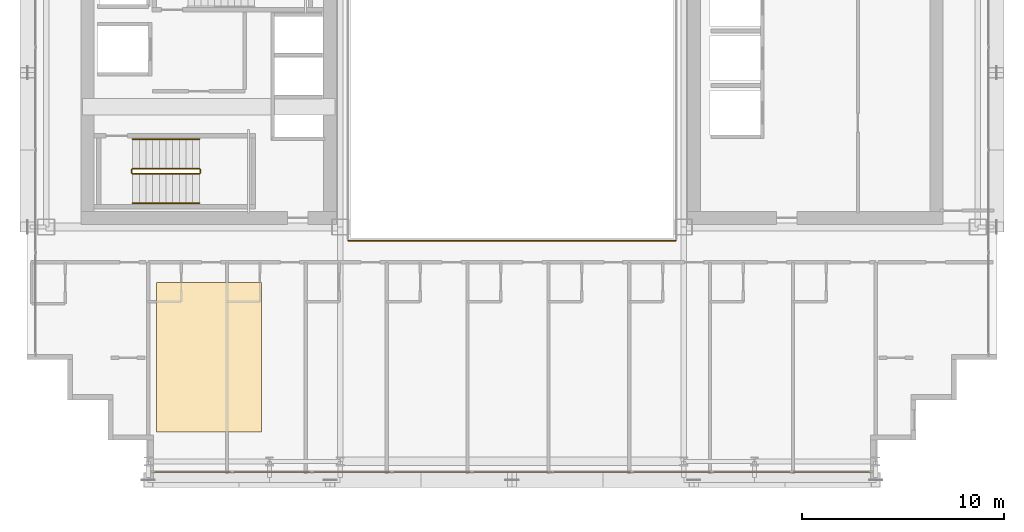
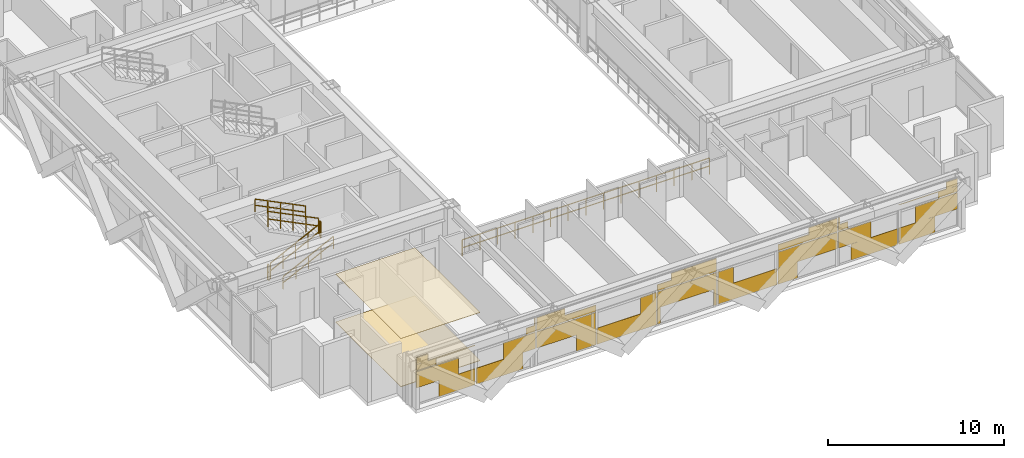
# One storey, part 33 of 36: 7 railings, 3 coverings.
"""IFC4 building model written with IfcOpenShell, lengths in metres."""

from ifc_helpers import new_model, si_unit, direction, frame, origin, origin_2d, place, context, subcontext, project, spatial, polyline, rectangle, outline, extrude, material, layer, layer_set, type_object, element, save


model = new_model("IFC4")

# Units and contexts
model_context = context("Model", 3, precision=1e-05, world=origin(), true_north=direction((0.0, 1.0)))
body_context = subcontext(model_context, "Body", "Model", "MODEL_VIEW")
ifc_project = project(units=[si_unit("LENGTHUNIT", "METRE"), si_unit("AREAUNIT", "SQUARE_METRE"), si_unit("VOLUMEUNIT", "CUBIC_METRE"), si_unit("PLANEANGLEUNIT", "RADIAN"), si_unit("MASSUNIT", "GRAM", prefix="KILO")], contexts=[model_context])

# Site, building, storey
site_placement = place(None, origin())
site = spatial("IfcSite", under=ifc_project, at=site_placement, CompositionType="ELEMENT")
building_placement = place(site_placement, origin())
building = spatial("IfcBuilding", under=site, at=building_placement, Name="Ocotamira Hotel", CompositionType="ELEMENT")
storey_placement = place(building_placement, frame((0.0, 0.0, 129.60009765625)))
storey = spatial("IfcBuildingStorey", under=building, at=storey_placement, Name="L32", CompositionType="ELEMENT", Elevation=129.60009765625)

# Coverings
ifc_material_1 = material(Name="Perforated acoustic gypsum ceiling board", Category="gypsum")
ifc_layer_1 = layer(ifc_material_1, 0.02490234375)
ifc_layer_set_1 = layer_set([ifc_layer_1], Name="Perforated acoustic gypsum ceiling board")
covering_type_1 = type_object("IfcCoveringType", Name="COV-CEIL-25", PredefinedType="CEILING", material=ifc_layer_set_1)
covering_1_placement = place(storey_placement, frame((0.0, 0.0, 3.3349609375)))
element("IfcCovering", 1, at=covering_1_placement, inside=storey, type_object=covering_type_1, Name="L32 Acoustic Ceiling", PredefinedType="CEILING", context=body_context, shape_type="SweptSolid", body=[
    extrude(outline(polyline([(14.39990234375, 4.39990234375), (19.60009765625, 4.39990234375), (19.60009765625, 11.800048828125), (14.39990234375, 11.800048828125), (14.39990234375, 4.39990234375)])), origin(), (0.0, 0.0, 1.0), 0.02490234375),
])
ifc_material_2 = material(Name="Honed desert travertine stone flooring", Category="masonry")
ifc_layer_2 = layer(ifc_material_2, 0.030029296875)
ifc_layer_set_2 = layer_set([ifc_layer_2], Name="Honed desert travertine stone flooring")
covering_type_2 = type_object("IfcCoveringType", Name="COV-FLOR-30", PredefinedType="FLOORING", material=ifc_layer_set_2)
covering_2_placement = place(storey_placement, origin())
element("IfcCovering", 2, at=covering_2_placement, inside=storey, type_object=covering_type_2, Name="L32 Honed Stone Floor Finish", PredefinedType="FLOORING", context=body_context, shape_type="SweptSolid", body=[
    extrude(outline(polyline([(14.39990234375, 4.39990234375), (19.60009765625, 4.39990234375), (19.60009765625, 11.800048828125), (14.39990234375, 11.800048828125), (14.39990234375, 4.39990234375)])), origin(), (0.0, 0.0, 1.0), 0.02978515625),
])
ifc_material_3 = material(Name="Insulated pale-metal aluminium spandrel panel", Category="aluminium")
ifc_layer_3 = layer(ifc_material_3, 0.044921875)
ifc_layer_set_3 = layer_set([ifc_layer_3], Name="Insulated pale-metal aluminium spandrel panel")
covering_type_3 = type_object("IfcCoveringType", Name="COV-INFILL-45", PredefinedType="CLADDING", material=ifc_layer_set_3)
covering_3_placement = place(storey_placement, origin())
element("IfcCovering", 3, at=covering_3_placement, inside=storey, type_object=covering_type_3, Name="L32 Curtain Wall Infill CW-3 CW-L32-S1", PredefinedType="CLADDING", context=body_context, shape_type="SweptSolid", body=[
    extrude(rectangle(XDim=2.754638671875, YDim=0.044921875, at=origin_2d()), frame((15.65771484375, 2.419921875, 1.19384765625), z_axis=(0.0, 0.0, 1.0), x_axis=(1.0, 0.0, 0.0)), (0.0, 0.0, 1.0), 1.117919921875),
    extrude(rectangle(XDim=2.359619140625, YDim=0.044921875, at=origin_2d()), frame((16.935302734375, 2.419921875, 0.075439453125), z_axis=(0.0, 0.0, 1.0), x_axis=(1.0, 0.0, 0.0)), (0.0, 0.0, 1.0), 1.11767578125),
    extrude(rectangle(XDim=1.262451171875, YDim=0.044921875, at=origin_2d()), frame((14.91162109375, 2.419921875, 2.387939453125), z_axis=(0.0, 0.0, 1.0), x_axis=(1.0, 0.0, 0.0)), (0.0, 0.0, 1.0), 0.3935546875),
    extrude(rectangle(XDim=3.834716796875, YDim=0.044921875, at=origin_2d()), frame((16.19775390625, 2.419921875, 2.782470703125), z_axis=(0.0, 0.0, 1.0), x_axis=(1.0, 0.0, 0.0)), (0.0, 0.0, 1.0), 0.0302734375),
    extrude(rectangle(XDim=0.730224609375, YDim=0.044921875, at=origin_2d()), frame((14.6455078125, 2.419921875, 2.813720703125), z_axis=(0.0, 0.0, 1.0), x_axis=(1.0, 0.0, 0.0)), (0.0, 0.0, 1.0), 0.470703125),
    extrude(rectangle(XDim=3.04833984375, YDim=0.044921875, at=origin_2d()), frame((19.72021484375, 2.419921875, 0.075439453125), z_axis=(0.0, 0.0, 1.0), x_axis=(1.0, 0.0, 0.0)), (0.0, 0.0, 1.0), 1.11767578125),
    extrude(rectangle(XDim=2.105712890625, YDim=0.044921875, at=origin_2d()), frame((21.017578125, 2.419921875, 1.19384765625), z_axis=(0.0, 0.0, 1.0), x_axis=(1.0, 0.0, 0.0)), (0.0, 0.0, 1.0), 1.117919921875),
    extrude(rectangle(XDim=0.613525390625, YDim=0.044921875, at=origin_2d()), frame((21.763916015625, 2.419921875, 2.387939453125), z_axis=(0.0, 0.0, 1.0), x_axis=(1.0, 0.0, 0.0)), (0.0, 0.0, 1.0), 0.4248046875),
    extrude(rectangle(XDim=0.081298828125, YDim=0.044921875, at=origin_2d()), frame((22.02978515625, 2.419921875, 2.813720703125), z_axis=(0.0, 0.0, 1.0), x_axis=(1.0, 0.0, 0.0)), (0.0, 0.0, 1.0), 0.470703125),
    extrude(rectangle(XDim=3.87451171875, YDim=0.044921875, at=origin_2d()), frame((24.0888671875, 2.419921875, 1.19384765625), z_axis=(0.0, 0.0, 1.0), x_axis=(1.0, 0.0, 0.0)), (0.0, 0.0, 1.0), 1.117919921875),
    extrude(rectangle(XDim=1.270751953125, YDim=0.044921875, at=origin_2d()), frame((25.390869140625, 2.419921875, 0.075439453125), z_axis=(0.0, 0.0, 1.0), x_axis=(1.0, 0.0, 0.0)), (0.0, 0.0, 1.0), 1.11767578125),
    extrude(rectangle(XDim=3.87451171875, YDim=0.044921875, at=origin_2d()), frame((24.0888671875, 2.419921875, 2.387939453125), z_axis=(0.0, 0.0, 1.0), x_axis=(1.0, 0.0, 0.0)), (0.0, 0.0, 1.0), 0.4248046875),
    extrude(rectangle(XDim=1.859130859375, YDim=0.044921875, at=origin_2d()), frame((23.081298828125, 2.419921875, 2.813720703125), z_axis=(0.0, 0.0, 1.0), x_axis=(1.0, 0.0, 0.0)), (0.0, 0.0, 1.0), 0.470703125),
    extrude(rectangle(XDim=3.87451171875, YDim=0.044921875, at=origin_2d()), frame((28.04443359375, 2.419921875, 0.075439453125), z_axis=(0.0, 0.0, 1.0), x_axis=(1.0, 0.0, 0.0)), (0.0, 0.0, 1.0), 1.11767578125),
    extrude(rectangle(XDim=1.016845703125, YDim=0.044921875, at=origin_2d()), frame((29.473388671875, 2.419921875, 1.19384765625), z_axis=(0.0, 0.0, 1.0), x_axis=(1.0, 0.0, 0.0)), (0.0, 0.0, 1.0), 1.117919921875),
    extrude(rectangle(XDim=0.181884765625, YDim=0.044921875, at=origin_2d()), frame((30.153564453125, 2.419921875, 0.075439453125), z_axis=(0.0, 0.0, 1.0), x_axis=(1.0, 0.0, 0.0)), (0.0, 0.0, 1.0), 1.11767578125),
    extrude(rectangle(XDim=3.87451171875, YDim=0.044921875, at=origin_2d()), frame((32.0, 2.419921875, 1.19384765625), z_axis=(0.0, 0.0, 1.0), x_axis=(1.0, 0.0, 0.0)), (0.0, 0.0, 1.0), 1.117919921875),
    extrude(rectangle(XDim=0.181884765625, YDim=0.044921875, at=origin_2d()), frame((33.846435546875, 2.419921875, 0.075439453125), z_axis=(0.0, 0.0, 1.0), x_axis=(1.0, 0.0, 0.0)), (0.0, 0.0, 1.0), 1.11767578125),
    extrude(rectangle(XDim=3.87451171875, YDim=0.044921875, at=origin_2d()), frame((32.0, 2.419921875, 2.387939453125), z_axis=(0.0, 0.0, 1.0), x_axis=(1.0, 0.0, 0.0)), (0.0, 0.0, 1.0), 0.4248046875),
    extrude(rectangle(XDim=2.947998046875, YDim=0.044921875, at=origin_2d()), frame((32.46337890625, 2.419921875, 2.813720703125), z_axis=(0.0, 0.0, 1.0), x_axis=(1.0, 0.0, 0.0)), (0.0, 0.0, 1.0), 0.470703125),
    extrude(rectangle(XDim=3.87451171875, YDim=0.044921875, at=origin_2d()), frame((35.95556640625, 2.419921875, 0.075439453125), z_axis=(0.0, 0.0, 1.0), x_axis=(1.0, 0.0, 0.0)), (0.0, 0.0, 1.0), 1.11767578125),
    extrude(rectangle(XDim=1.016845703125, YDim=0.044921875, at=origin_2d()), frame((34.526611328125, 2.419921875, 1.19384765625), z_axis=(0.0, 0.0, 1.0), x_axis=(1.0, 0.0, 0.0)), (0.0, 0.0, 1.0), 1.117919921875),
    extrude(rectangle(XDim=1.270751953125, YDim=0.044921875, at=origin_2d()), frame((38.609130859375, 2.419921875, 0.075439453125), z_axis=(0.0, 0.0, 1.0), x_axis=(1.0, 0.0, 0.0)), (0.0, 0.0, 1.0), 1.11767578125),
    extrude(rectangle(XDim=3.87451171875, YDim=0.044921875, at=origin_2d()), frame((39.9111328125, 2.419921875, 1.19384765625), z_axis=(0.0, 0.0, 1.0), x_axis=(1.0, 0.0, 0.0)), (0.0, 0.0, 1.0), 1.117919921875),
    extrude(rectangle(XDim=3.87451171875, YDim=0.044921875, at=origin_2d()), frame((39.9111328125, 2.419921875, 2.387939453125), z_axis=(0.0, 0.0, 1.0), x_axis=(1.0, 0.0, 0.0)), (0.0, 0.0, 1.0), 0.4248046875),
    extrude(rectangle(XDim=1.859130859375, YDim=0.044921875, at=origin_2d()), frame((40.918701171875, 2.419921875, 2.813720703125), z_axis=(0.0, 0.0, 1.0), x_axis=(1.0, 0.0, 0.0)), (0.0, 0.0, 1.0), 0.470703125),
    extrude(rectangle(XDim=2.105712890625, YDim=0.044921875, at=origin_2d()), frame((42.982421875, 2.419921875, 1.19384765625), z_axis=(0.0, 0.0, 1.0), x_axis=(1.0, 0.0, 0.0)), (0.0, 0.0, 1.0), 1.117919921875),
    extrude(rectangle(XDim=3.04833984375, YDim=0.044921875, at=origin_2d()), frame((44.27978515625, 2.419921875, 0.075439453125), z_axis=(0.0, 0.0, 1.0), x_axis=(1.0, 0.0, 0.0)), (0.0, 0.0, 1.0), 1.11767578125),
    extrude(rectangle(XDim=0.613525390625, YDim=0.044921875, at=origin_2d()), frame((42.236083984375, 2.419921875, 2.387939453125), z_axis=(0.0, 0.0, 1.0), x_axis=(1.0, 0.0, 0.0)), (0.0, 0.0, 1.0), 0.4248046875),
    extrude(rectangle(XDim=0.081298828125, YDim=0.044921875, at=origin_2d()), frame((41.97021484375, 2.419921875, 2.813720703125), z_axis=(0.0, 0.0, 1.0), x_axis=(1.0, 0.0, 0.0)), (0.0, 0.0, 1.0), 0.470703125),
    extrude(rectangle(XDim=2.359619140625, YDim=0.044921875, at=origin_2d()), frame((47.064697265625, 2.419921875, 0.075439453125), z_axis=(0.0, 0.0, 1.0), x_axis=(1.0, 0.0, 0.0)), (0.0, 0.0, 1.0), 1.11767578125),
    extrude(rectangle(XDim=2.754638671875, YDim=0.044921875, at=origin_2d()), frame((48.34228515625, 2.419921875, 1.19384765625), z_axis=(0.0, 0.0, 1.0), x_axis=(1.0, 0.0, 0.0)), (0.0, 0.0, 1.0), 1.117919921875),
    extrude(rectangle(XDim=3.834716796875, YDim=0.044921875, at=origin_2d()), frame((47.80224609375, 2.419921875, 2.782470703125), z_axis=(0.0, 0.0, 1.0), x_axis=(1.0, 0.0, 0.0)), (0.0, 0.0, 1.0), 0.0302734375),
    extrude(rectangle(XDim=1.262451171875, YDim=0.044921875, at=origin_2d()), frame((49.08837890625, 2.419921875, 2.387939453125), z_axis=(0.0, 0.0, 1.0), x_axis=(1.0, 0.0, 0.0)), (0.0, 0.0, 1.0), 0.3935546875),
    extrude(rectangle(XDim=0.730224609375, YDim=0.044921875, at=origin_2d()), frame((49.3544921875, 2.419921875, 2.813720703125), z_axis=(0.0, 0.0, 1.0), x_axis=(1.0, 0.0, 0.0)), (0.0, 0.0, 1.0), 0.470703125),
])

# Railings
ifc_material_4 = material(Name="Painted steel stair guardrail", Category="steel")
railing_type_1 = type_object("IfcRailingType", Name="RL-EDGE-1150", PredefinedType="GUARDRAIL", material=ifc_material_4)
railing_1_placement = place(storey_placement, frame((23.89990234375, 13.8798828125, 0.0)))
element("IfcRailing", 4, at=railing_1_placement, inside=storey, type_object=railing_type_1, Name="L32 Central Atrium Edge Guardrail S", PredefinedType="GUARDRAIL", context=body_context, shape_type="SweptSolid", body=[
    extrude(rectangle(XDim=0.048095703125, YDim=0.048095703125, at=origin_2d()), frame((0.0, 0.0, 1.1259765625), z_axis=(1.0, 0.0, 0.0), x_axis=(0.0, 1.0, 0.0)), (0.0, 0.0, 1.0), 16.2001953125),
    extrude(rectangle(XDim=0.048095703125, YDim=0.048095703125, at=origin_2d()), frame((0.0, 0.0, 0.574951171875), z_axis=(1.0, 0.0, 0.0), x_axis=(0.0, 1.0, 0.0)), (0.0, 0.0, 1.0), 16.2001953125),
    extrude(rectangle(XDim=0.0419921875, YDim=0.0419921875, at=origin_2d()), origin(), (0.0, 0.0, 1.0), 1.101806640625),
    extrude(rectangle(XDim=0.0419921875, YDim=0.0419921875, at=origin_2d()), frame((1.1572265625, 0.0, 0.0)), (0.0, 0.0, 1.0), 1.101806640625),
    extrude(rectangle(XDim=0.0419921875, YDim=0.0419921875, at=origin_2d()), frame((2.314208984375, 0.0, 0.0)), (0.0, 0.0, 1.0), 1.101806640625),
    extrude(rectangle(XDim=0.0419921875, YDim=0.0419921875, at=origin_2d()), frame((3.471435546875, 0.0, 0.0)), (0.0, 0.0, 1.0), 1.101806640625),
    extrude(rectangle(XDim=0.0419921875, YDim=0.0419921875, at=origin_2d()), frame((4.628662109375, 0.0, 0.0)), (0.0, 0.0, 1.0), 1.101806640625),
    extrude(rectangle(XDim=0.0419921875, YDim=0.0419921875, at=origin_2d()), frame((5.785888671875, 0.0, 0.0)), (0.0, 0.0, 1.0), 1.101806640625),
    extrude(rectangle(XDim=0.0419921875, YDim=0.0419921875, at=origin_2d()), frame((6.94287109375, 0.0, 0.0)), (0.0, 0.0, 1.0), 1.101806640625),
    extrude(rectangle(XDim=0.0419921875, YDim=0.0419921875, at=origin_2d()), frame((8.10009765625, 0.0, 0.0)), (0.0, 0.0, 1.0), 1.101806640625),
    extrude(rectangle(XDim=0.0419921875, YDim=0.0419921875, at=origin_2d()), frame((9.25732421875, 0.0, 0.0)), (0.0, 0.0, 1.0), 1.101806640625),
    extrude(rectangle(XDim=0.0419921875, YDim=0.0419921875, at=origin_2d()), frame((10.414306640625, 0.0, 0.0)), (0.0, 0.0, 1.0), 1.101806640625),
    extrude(rectangle(XDim=0.0419921875, YDim=0.0419921875, at=origin_2d()), frame((11.571533203125, 0.0, 0.0)), (0.0, 0.0, 1.0), 1.101806640625),
    extrude(rectangle(XDim=0.0419921875, YDim=0.0419921875, at=origin_2d()), frame((12.728759765625, 0.0, 0.0)), (0.0, 0.0, 1.0), 1.101806640625),
    extrude(rectangle(XDim=0.0419921875, YDim=0.0419921875, at=origin_2d()), frame((13.885986328125, 0.0, 0.0)), (0.0, 0.0, 1.0), 1.101806640625),
    extrude(rectangle(XDim=0.0419921875, YDim=0.0419921875, at=origin_2d()), frame((15.04296875, 0.0, 0.0)), (0.0, 0.0, 1.0), 1.101806640625),
    extrude(rectangle(XDim=0.0419921875, YDim=0.0419921875, at=origin_2d()), frame((16.2001953125, 0.0, 0.0)), (0.0, 0.0, 1.0), 1.101806640625),
])
ifc_material_5 = material(Name="Brushed stainless steel handrail", Category="steel")
railing_type_2 = type_object("IfcRailingType", Name="RL-HAND-900", PredefinedType="HANDRAIL", material=ifc_material_5)
railing_2_placement = place(storey_placement, frame((13.22998046875, 15.719970703125, 0.3271484375)))
element("IfcRailing", 5, at=railing_2_placement, inside=storey, type_object=railing_type_2, Name="L32 ST-1 stair handrail 1", PredefinedType="HANDRAIL", context=body_context, shape_type="SweptSolid", body=[
    extrude(rectangle(XDim=0.048095703125, YDim=0.048095703125, at=origin_2d()), frame((0.0, 0.0, 0.8759765625), z_axis=(0.895893744519, 0.0, 0.4442683857), x_axis=(0.0, 1.0, 0.0)), (0.0, 0.0, 1.0), 3.68359375),
    extrude(rectangle(XDim=0.048095703125, YDim=0.048095703125, at=origin_2d()), frame((0.0, 0.0, 0.449951171875), z_axis=(0.895893744519, 0.0, 0.4442683857), x_axis=(0.0, 1.0, 0.0)), (0.0, 0.0, 1.0), 3.68359375),
    extrude(rectangle(XDim=0.0419921875, YDim=0.0419921875, at=origin_2d()), origin(), (0.0, 0.0, 1.0), 0.851806640625),
    extrude(rectangle(XDim=0.0419921875, YDim=0.0419921875, at=origin_2d()), frame((0.824951171875, 0.0, 0.4091796875)), (0.0, 0.0, 1.0), 0.851806640625),
    extrude(rectangle(XDim=0.0419921875, YDim=0.0419921875, at=origin_2d()), frame((1.64990234375, 0.0, 0.818359375)), (0.0, 0.0, 1.0), 0.851806640625),
    extrude(rectangle(XDim=0.0419921875, YDim=0.0419921875, at=origin_2d()), frame((2.47509765625, 0.0, 1.227294921875)), (0.0, 0.0, 1.0), 0.851806640625),
    extrude(rectangle(XDim=0.0419921875, YDim=0.0419921875, at=origin_2d()), frame((3.300048828125, 0.0, 1.636474609375)), (0.0, 0.0, 1.0), 0.851806640625),
])
railing_3_placement = place(storey_placement, frame((16.530029296875, 18.89990234375, 2.127197265625)))
element("IfcRailing", 6, at=railing_3_placement, inside=storey, type_object=railing_type_2, Name="L32 ST-1 stair handrail 2", PredefinedType="HANDRAIL", context=body_context, shape_type="SweptSolid", body=[
    extrude(rectangle(XDim=0.048095703125, YDim=0.048095703125, at=origin_2d()), frame((0.0, 0.0, 0.8759765625), z_axis=(-0.895920123917, 0.0, 0.444215186098), x_axis=(0.0, -1.0, 0.0)), (0.0, 0.0, 1.0), 3.683349609375),
    extrude(rectangle(XDim=0.048095703125, YDim=0.048095703125, at=origin_2d()), frame((0.0, 0.0, 0.449951171875), z_axis=(-0.895920123917, 0.0, 0.444215186098), x_axis=(0.0, -1.0, 0.0)), (0.0, 0.0, 1.0), 3.683349609375),
    extrude(rectangle(XDim=0.0419921875, YDim=0.0419921875, at=origin_2d()), origin(), (0.0, 0.0, 1.0), 0.851806640625),
    extrude(rectangle(XDim=0.0419921875, YDim=0.0419921875, at=origin_2d()), frame((-0.824951171875, 0.0, 0.4091796875)), (0.0, 0.0, 1.0), 0.851806640625),
    extrude(rectangle(XDim=0.0419921875, YDim=0.0419921875, at=origin_2d()), frame((-1.64990234375, 0.0, 0.818115234375)), (0.0, 0.0, 1.0), 0.851806640625),
    extrude(rectangle(XDim=0.0419921875, YDim=0.0419921875, at=origin_2d()), frame((-2.47509765625, 0.0, 1.22705078125)), (0.0, 0.0, 1.0), 0.851806640625),
    extrude(rectangle(XDim=0.0419921875, YDim=0.0419921875, at=origin_2d()), frame((-3.300048828125, 0.0, 1.63623046875)), (0.0, 0.0, 1.0), 0.851806640625),
])
railing_type_3 = type_object("IfcRailingType", Name="RL-STAIR-1100", PredefinedType="GUARDRAIL", material=ifc_material_4)
railing_4_placement = place(storey_placement, frame((13.22998046875, 17.179931640625, 0.16357421875)))
element("IfcRailing", 7, at=railing_4_placement, inside=storey, type_object=railing_type_3, Name="L32 ST-1 stair guard 1", PredefinedType="GUARDRAIL", context=body_context, shape_type="SweptSolid", body=[
    extrude(rectangle(XDim=0.048095703125, YDim=0.048095703125, at=origin_2d()), frame((0.0, 0.0, 1.076171875), z_axis=(0.895920123917, 0.0, 0.444215186098), x_axis=(0.0, 1.0, 0.0)), (0.0, 0.0, 1.0), 3.683349609375),
    extrude(rectangle(XDim=0.048095703125, YDim=0.048095703125, at=origin_2d()), frame((0.0, 0.0, 0.550048828125), z_axis=(0.895920123917, 0.0, 0.444215186098), x_axis=(0.0, 1.0, 0.0)), (0.0, 0.0, 1.0), 3.683349609375),
    extrude(rectangle(XDim=0.0419921875, YDim=0.0419921875, at=origin_2d()), origin(), (0.0, 0.0, 1.0), 1.052001953125),
    extrude(rectangle(XDim=0.0419921875, YDim=0.0419921875, at=origin_2d()), frame((0.824951171875, 0.0, 0.4091796875)), (0.0, 0.0, 1.0), 1.052001953125),
    extrude(rectangle(XDim=0.0419921875, YDim=0.0419921875, at=origin_2d()), frame((1.64990234375, 0.0, 0.818115234375)), (0.0, 0.0, 1.0), 1.052001953125),
    extrude(rectangle(XDim=0.0419921875, YDim=0.0419921875, at=origin_2d()), frame((2.47509765625, 0.0, 1.22705078125)), (0.0, 0.0, 1.0), 1.052001953125),
    extrude(rectangle(XDim=0.0419921875, YDim=0.0419921875, at=origin_2d()), frame((3.300048828125, 0.0, 1.63623046875)), (0.0, 0.0, 1.0), 1.052001953125),
])
railing_5_placement = place(storey_placement, frame((16.580078125, 17.22998046875, 1.7998046875)))
element("IfcRailing", 8, at=railing_5_placement, inside=storey, type_object=railing_type_3, Name="L32 ST-1 stair guard 2", PredefinedType="GUARDRAIL", context=body_context, shape_type="SweptSolid", body=[
    extrude(rectangle(XDim=0.048095703125, YDim=0.048095703125, at=origin_2d()), frame((0.0, 0.0, 1.076171875), z_axis=(0.0, 1.0, 0.0), x_axis=(-1.0, 0.0, 0.0)), (0.0, 0.0, 1.0), 0.159912109375),
    extrude(rectangle(XDim=0.048095703125, YDim=0.048095703125, at=origin_2d()), frame((0.0, 0.0, 0.550048828125), z_axis=(0.0, 1.0, 0.0), x_axis=(-1.0, 0.0, 0.0)), (0.0, 0.0, 1.0), 0.159912109375),
    extrude(rectangle(XDim=0.0419921875, YDim=0.0419921875, at=origin_2d()), origin(), (0.0, 0.0, 1.0), 1.052001953125),
    extrude(rectangle(XDim=0.0419921875, YDim=0.0419921875, at=origin_2d()), frame((0.0, 0.159912109375, 0.0)), (0.0, 0.0, 1.0), 1.052001953125),
])
railing_6_placement = place(storey_placement, frame((16.530029296875, 17.43994140625, 1.963623046875)))
element("IfcRailing", 9, at=railing_6_placement, inside=storey, type_object=railing_type_3, Name="L32 ST-1 stair guard 3", PredefinedType="GUARDRAIL", context=body_context, shape_type="SweptSolid", body=[
    extrude(rectangle(XDim=0.048095703125, YDim=0.048095703125, at=origin_2d()), frame((0.0, 0.0, 1.076171875), z_axis=(-0.895920123917, 0.0, 0.444215186098), x_axis=(0.0, -1.0, 0.0)), (0.0, 0.0, 1.0), 3.683349609375),
    extrude(rectangle(XDim=0.048095703125, YDim=0.048095703125, at=origin_2d()), frame((0.0, 0.0, 0.550048828125), z_axis=(-0.895920123917, 0.0, 0.444215186098), x_axis=(0.0, -1.0, 0.0)), (0.0, 0.0, 1.0), 3.683349609375),
    extrude(rectangle(XDim=0.0419921875, YDim=0.0419921875, at=origin_2d()), origin(), (0.0, 0.0, 1.0), 1.052001953125),
    extrude(rectangle(XDim=0.0419921875, YDim=0.0419921875, at=origin_2d()), frame((-0.824951171875, 0.0, 0.4091796875)), (0.0, 0.0, 1.0), 1.052001953125),
    extrude(rectangle(XDim=0.0419921875, YDim=0.0419921875, at=origin_2d()), frame((-1.64990234375, 0.0, 0.818115234375)), (0.0, 0.0, 1.0), 1.052001953125),
    extrude(rectangle(XDim=0.0419921875, YDim=0.0419921875, at=origin_2d()), frame((-2.47509765625, 0.0, 1.22705078125)), (0.0, 0.0, 1.0), 1.052001953125),
    extrude(rectangle(XDim=0.0419921875, YDim=0.0419921875, at=origin_2d()), frame((-3.300048828125, 0.0, 1.63623046875)), (0.0, 0.0, 1.0), 1.052001953125),
])
railing_7_placement = place(storey_placement, frame((13.179931640625, 17.22998046875, 0.0)))
element("IfcRailing", 10, at=railing_7_placement, inside=storey, type_object=railing_type_3, Name="L32 ST-1 stair guard 4", PredefinedType="GUARDRAIL", context=body_context, shape_type="SweptSolid", body=[
    extrude(rectangle(XDim=0.048095703125, YDim=0.048095703125, at=origin_2d()), frame((0.0, 0.0, 1.076171875), z_axis=(0.0, 1.0, 0.0), x_axis=(-1.0, 0.0, 0.0)), (0.0, 0.0, 1.0), 0.159912109375),
    extrude(rectangle(XDim=0.048095703125, YDim=0.048095703125, at=origin_2d()), frame((0.0, 0.0, 0.550048828125), z_axis=(0.0, 1.0, 0.0), x_axis=(-1.0, 0.0, 0.0)), (0.0, 0.0, 1.0), 0.159912109375),
    extrude(rectangle(XDim=0.0419921875, YDim=0.0419921875, at=origin_2d()), origin(), (0.0, 0.0, 1.0), 1.052001953125),
    extrude(rectangle(XDim=0.0419921875, YDim=0.0419921875, at=origin_2d()), frame((0.0, 0.159912109375, 0.0)), (0.0, 0.0, 1.0), 1.052001953125),
])

save(model, "model.ifc")
